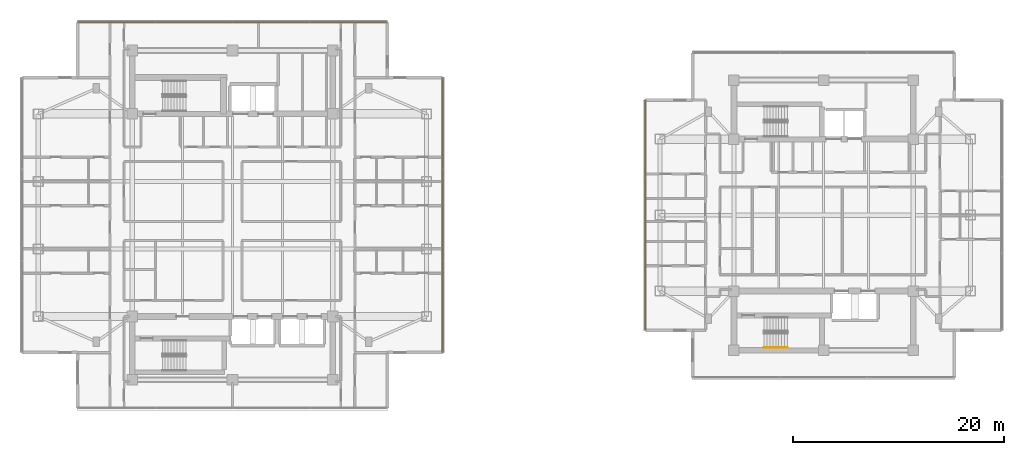
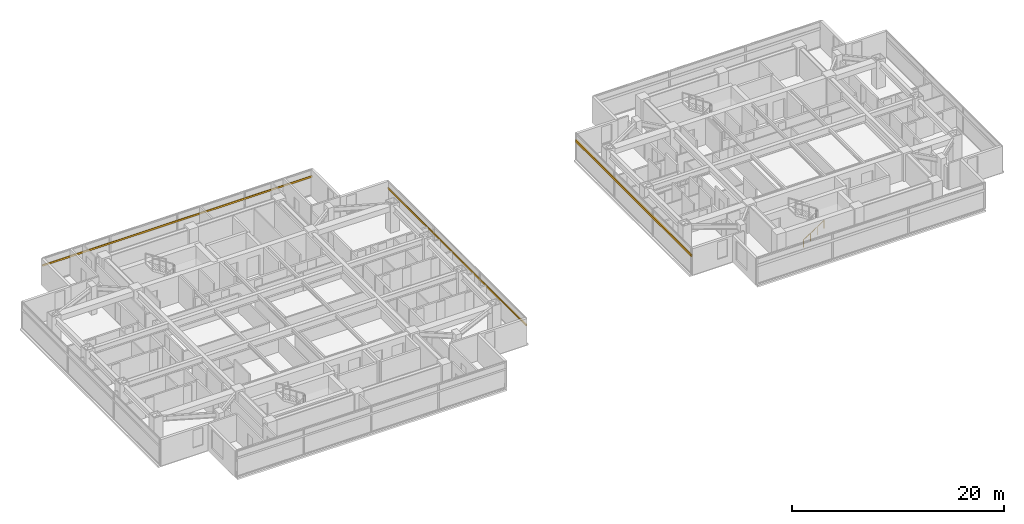
# One storey, part 21 of 24: 3 shading devices, 1 railing.
"""IFC4 building model written with IfcOpenShell, lengths in metres."""

from ifc_helpers import new_model, si_unit, direction, frame, origin, origin_2d, place, context, subcontext, project, spatial, rectangle, circle, extrude, material, material_profile, profile_set, type_object, element, save


model = new_model("IFC4")

# Units and contexts
model_context = context("Model", 3, precision=1e-05, world=origin(), true_north=direction((0.0, 1.0)))
body_context = subcontext(model_context, "Body", "Model", "MODEL_VIEW")
ifc_project = project(units=[si_unit("LENGTHUNIT", "METRE"), si_unit("AREAUNIT", "SQUARE_METRE"), si_unit("VOLUMEUNIT", "CUBIC_METRE"), si_unit("PLANEANGLEUNIT", "RADIAN"), si_unit("MASSUNIT", "GRAM", prefix="KILO")], contexts=[model_context])

# Site, building, storey
site_placement = place(None, origin())
site = spatial("IfcSite", under=ifc_project, at=site_placement, CompositionType="ELEMENT")
building_placement = place(site_placement, origin())
building = spatial("IfcBuilding", under=site, at=building_placement, Name="Mirazonda Arch Towers", CompositionType="ELEMENT")
storey_placement = place(building_placement, frame((0.0, 0.0, 157.64990234375)))
storey = spatial("IfcBuildingStorey", under=building, at=storey_placement, Name="L44", CompositionType="ELEMENT", Elevation=157.64990234375)

# Shading devices
ifc_material_1 = material(Name="Kiln-Fired Architectural Terracotta", Category="masonry")
ifc_material_profile_1 = material_profile(ifc_material_1, rectangle(XDim=0.10009765625, YDim=0.199951171875, at=origin_2d()), Name="TERRA-BAG-100x200")
ifc_profile_set_1 = profile_set([ifc_material_profile_1], Name="Kiln-Fired Architectural Terracotta")
shading_device_type_1 = type_object("IfcShadingDeviceType", Name="BAGUETTE-2", PredefinedType="USERDEFINED", material=ifc_profile_set_1)
shading_device_1_placement = place(storey_placement, frame((40.409912109375, 14.97705078125, 2.181640625), z_axis=(0.0, 1.0, 0.0), x_axis=(-1.0, 0.0, 0.0)))
element("IfcShadingDevice", 1, at=shading_device_1_placement, inside=storey, type_object=shading_device_type_1, Name="L44 Glazed Terracotta Sun-Screen Baguette CW-L44-T1-E", ObjectType="BAGUETTE", PredefinedType="USERDEFINED", context=body_context, shape_type="SweptSolid", body=[
    extrude(rectangle(XDim=0.10009765625, YDim=0.199951171875, at=origin_2d()), origin(), (0.0, 0.0, 1.0), 26.0458984375),
])
shading_device_2_placement = place(storey_placement, frame((5.8349609375, 46.26806640625, 2.181640625), z_axis=(1.0, 0.0, 0.0), x_axis=(0.0, 1.0, 0.0)))
element("IfcShadingDevice", 2, at=shading_device_2_placement, inside=storey, type_object=shading_device_type_1, Name="L44 Glazed Terracotta Sun-Screen Baguette CW-L44-T1-N", ObjectType="BAGUETTE", PredefinedType="USERDEFINED", context=body_context, shape_type="SweptSolid", body=[
    extrude(rectangle(XDim=0.10009765625, YDim=0.199951171875, at=origin_2d()), origin(), (0.0, 0.0, 1.0), 29.330078125),
])
ifc_material_profile_2 = material_profile(ifc_material_1, rectangle(XDim=0.139892578125, YDim=0.280029296875, at=origin_2d()), Name="TERRA-BAG-140x280")
ifc_profile_set_2 = profile_set([ifc_material_profile_2], Name="Kiln-Fired Architectural Terracotta")
shading_device_type_2 = type_object("IfcShadingDeviceType", Name="BAGUETTE-3", PredefinedType="USERDEFINED", material=ifc_profile_set_2)
shading_device_3_placement = place(storey_placement, frame((59.62939453125, 38.90966796875, 2.181640625), z_axis=(0.0, -1.0, 0.0), x_axis=(1.0, 0.0, 0.0)))
element("IfcShadingDevice", 3, at=shading_device_3_placement, inside=storey, type_object=shading_device_type_2, Name="L44 Glazed Terracotta Sun-Screen Baguette CW-L44-T2-W", ObjectType="BAGUETTE", PredefinedType="USERDEFINED", context=body_context, shape_type="SweptSolid", body=[
    extrude(rectangle(XDim=0.139892578125, YDim=0.280029296875, at=origin_2d()), origin(), (0.0, 0.0, 1.0), 21.8193359375),
])

# Railing
ifc_material_2 = material(Name="Architectural Brushed Steel S355", Category="steel")
railing_type = type_object("IfcRailingType", Name="HANDRAIL-915", PredefinedType="HANDRAIL", material=ifc_material_2)
railing_placement = place(storey_placement, frame((70.85009765625, 15.469970703125, 0.1806640625)))
element("IfcRailing", 4, at=railing_placement, inside=storey, type_object=railing_type, Name="L44 ST-T2S stair handrail 1", PredefinedType="HANDRAIL", context=body_context, shape_type="SweptSolid", body=[
    extrude(circle(Radius=0.02392578125, at=origin_2d()), frame((0.0, 0.0, 0.8759765625), z_axis=(0.840436612492, 0.0, 0.541909863706), x_axis=(0.0, 1.0, 0.0)), (0.0, 0.0, 1.0), 2.665283203125),
    extrude(circle(Radius=0.02099609375, at=origin_2d()), origin(), (0.0, 0.0, 1.0), 0.851806640625),
    extrude(circle(Radius=0.02099609375, at=origin_2d()), frame((0.74658203125, 0.0, 0.4814453125)), (0.0, 0.0, 1.0), 0.851806640625),
    extrude(circle(Radius=0.02099609375, at=origin_2d()), frame((1.493408203125, 0.0, 0.962890625)), (0.0, 0.0, 1.0), 0.851806640625),
    extrude(circle(Radius=0.02099609375, at=origin_2d()), frame((2.239990234375, 0.0, 1.4443359375)), (0.0, 0.0, 1.0), 0.851806640625),
])

save(model, "model.ifc")
